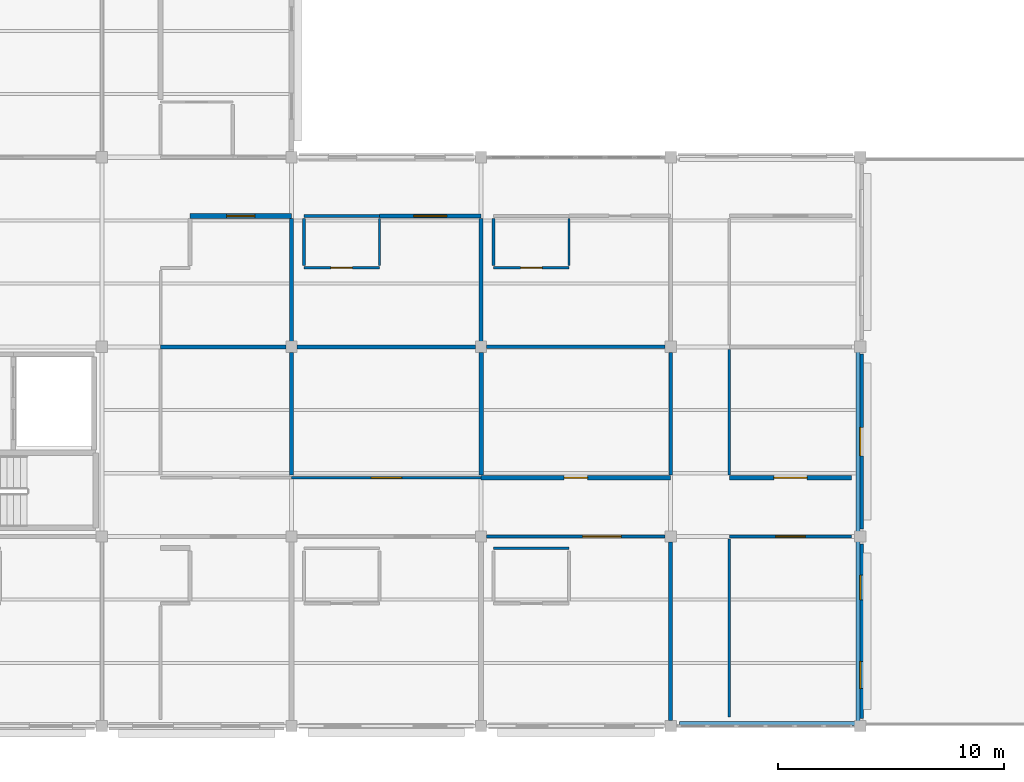
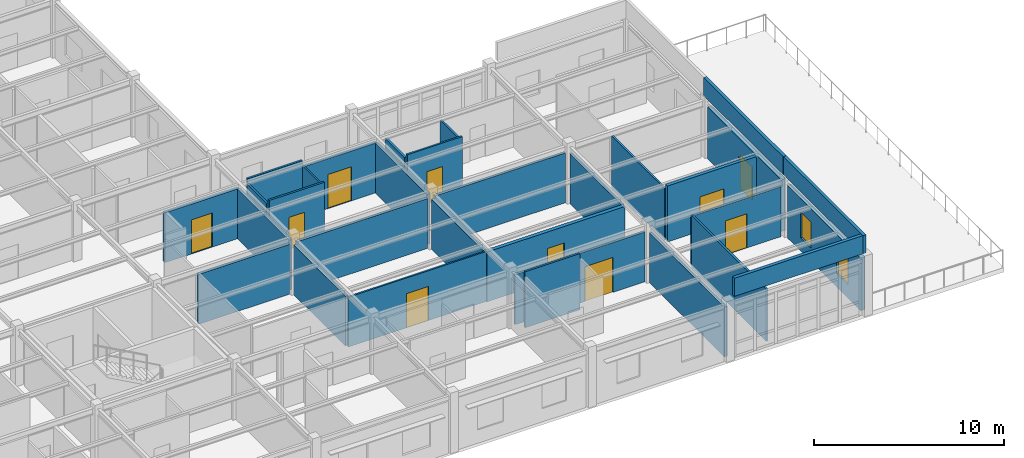
# One storey, part 36 of 53: 31 walls, 10 doors, 2 windows, 12 openings.
"""IFC4 building model written with IfcOpenShell, lengths in metres."""

import ifcopenshell
import ifcopenshell.guid

model = None  # the IFC model being written
_history = None  # IfcOwnerHistory: only IFC2X3 demands one
_inside = {}  # id of a spatial element -> (the spatial element, [elements in it])
_under = {}  # id of a project, library or spatial element -> (it, [spatial elements below it])
_declared = {}  # id of a project -> (the project, [libraries it declares])
_typed = {}  # id of a type object -> (the type object, [elements of that type])
_made_of = {}  # id of a material, layer set ... -> (it, [elements and type objects made of it])


def new_model(schema):
    """Start an empty IFC model of exactly this schema.

    Asked for "IFC4X3", IfcOpenShell would pick the latest addendum, in which some entities
    have other attributes; the version numbers below select the first issue.
    IFC2X3 requires an IfcOwnerHistory on every rooted entity: one is made here for all.
    """
    global model, _history
    if schema == "IFC4X3":
        model = ifcopenshell.file(schema_version=(4, 3, 0, 0))
    else:
        model = ifcopenshell.file(schema=schema)
    _inside.clear()
    _under.clear()
    _declared.clear()
    _typed.clear()
    _made_of.clear()
    _history = None
    if model.schema == "IFC2X3":
        org = make("IfcOrganization", Name="unknown")
        user = make(
            "IfcPersonAndOrganization",
            ThePerson=make("IfcPerson", FamilyName="unknown"),
            TheOrganization=org,
        )
        app = make(
            "IfcApplication",
            ApplicationDeveloper=org,
            Version="unknown",
            ApplicationFullName="unknown",
            ApplicationIdentifier="unknown",
        )
        _history = make(
            "IfcOwnerHistory",
            OwningUser=user,
            OwningApplication=app,
            ChangeAction="ADDED",
            CreationDate=0,
        )
    return model


def make(cls, **values):
    """One entity of the class cls with the attributes given. An attribute that is None is left unset."""
    return model.create_entity(
        cls, **{name: value for name, value in values.items() if value is not None}
    )


def rooted(cls, **values):
    """An entity with a GlobalId (a new one), such as an element, a storey or a relation."""
    return make(cls, GlobalId=ifcopenshell.guid.new(), OwnerHistory=_history, **values)


def si_unit(unit_type, name, prefix=None):
    """IfcSIUnit, for example si_unit("LENGTHUNIT", "METRE", prefix="MILLI")."""
    return make("IfcSIUnit", UnitType=unit_type, Prefix=prefix, Name=name)


def assignment(units):
    """IfcUnitAssignment: the units of a project."""
    return None if units is None else make("IfcUnitAssignment", Units=units)


def point(xyz):
    """IfcCartesianPoint."""
    return None if xyz is None else make("IfcCartesianPoint", Coordinates=xyz)


def direction(xyz):
    """IfcDirection."""
    return None if xyz is None else make("IfcDirection", DirectionRatios=xyz)


def frame(location, z_axis=None, x_axis=None):
    """IfcAxis2Placement3D, a coordinate frame: its origin and axes. An axis left out is left unset."""
    return make(
        "IfcAxis2Placement3D",
        Location=point(location),
        Axis=direction(z_axis),
        RefDirection=direction(x_axis),
    )


def frame_2d(location, x_axis=None):
    """IfcAxis2Placement2D, a coordinate frame in the plane: its origin and x axis."""
    return make(
        "IfcAxis2Placement2D", Location=point(location), RefDirection=direction(x_axis)
    )


def origin():
    """The frame at (0, 0, 0) with its axes left unset."""
    return frame((0.0, 0.0, 0.0))


def place(relative_to, where):
    """IfcLocalPlacement: puts the frame where relative to a parent placement (None: the world)."""
    return make(
        "IfcLocalPlacement", PlacementRelTo=relative_to, RelativePlacement=where
    )


def context(
    kind, dimensions, precision=None, world=None, true_north=None, identifier=None
):
    """IfcGeometricRepresentationContext, for example the 3D "Model" context."""
    return make(
        "IfcGeometricRepresentationContext",
        ContextIdentifier=identifier,
        ContextType=kind,
        CoordinateSpaceDimension=dimensions,
        Precision=precision,
        WorldCoordinateSystem=world,
        TrueNorth=true_north,
    )


def subcontext(parent, identifier, kind, view, scale=None):
    """IfcGeometricRepresentationSubContext, for example "Body" below "Model"."""
    return make(
        "IfcGeometricRepresentationSubContext",
        ContextIdentifier=identifier,
        ContextType=kind,
        ParentContext=parent,
        TargetScale=scale,
        TargetView=view,
    )


def project(units=None, contexts=None):
    """IfcProject with its units and contexts."""
    return rooted(
        "IfcProject",
        Name="project",
        RepresentationContexts=contexts,
        UnitsInContext=assignment(units),
    )


def spatial(cls, under=None, at=None, **own):
    """A site, building, storey or space (cls), placed at a placement, below another one or the project."""
    s = rooted(cls, ObjectPlacement=at, **own)
    if under is not None:
        _under.setdefault(under.id(), (under, []))[1].append(s)
    return s


def profile(cls, at=None, kind="AREA", **sizes):
    """A parametric profile (cls). Its sizes go by their IFC names, for example OverallWidth=200.0."""
    return make(cls, ProfileType=kind, Position=at, **sizes)


def rectangle(**sizes):
    """IfcRectangleProfileDef."""
    return profile("IfcRectangleProfileDef", **sizes)


def extrude(swept, where, along, depth):
    """IfcExtrudedAreaSolid: the profile swept, set in the frame where, extruded along a direction by depth."""
    return make(
        "IfcExtrudedAreaSolid",
        SweptArea=swept,
        Position=where,
        ExtrudedDirection=direction(along),
        Depth=depth,
    )


def shape(context_of_items, identifier, shape_type, items):
    """IfcShapeRepresentation: the items that make up one representation, for example the "Body"."""
    return make(
        "IfcShapeRepresentation",
        ContextOfItems=context_of_items,
        RepresentationIdentifier=identifier,
        RepresentationType=shape_type,
        Items=items,
    )


def material(Name=None, Category=None):
    """IfcMaterial."""
    return make("IfcMaterial", Name=Name, Category=Category)


def layer(
    of_material, thickness, ventilated=None, Name=None, Category=None, Priority=None
):
    """IfcMaterialLayer: one layer of a wall or slab, of a material (None: an air gap)."""
    return make(
        "IfcMaterialLayer",
        Material=of_material,
        LayerThickness=thickness,
        IsVentilated=ventilated,
        Name=Name,
        Category=Category,
        Priority=Priority,
    )


def layer_set(layers, Name=None):
    """IfcMaterialLayerSet."""
    return make("IfcMaterialLayerSet", MaterialLayers=layers, LayerSetName=Name)


def made_of(thing, what):
    """Note that an element or type object is made of a material, layer set ...; save() writes the relation."""
    if what is not None:
        _made_of.setdefault(what.id(), (what, []))[1].append(thing)
    return thing


def type_object(cls, material=None, **own):
    """A type object (cls), such as IfcWallType, which elements share."""
    return made_of(rooted(cls, **own), material)


def element(
    cls,
    number,
    at=None,
    inside=None,
    cuts=None,
    type_object=None,
    material=None,
    context=None,
    identifier="Body",
    shape_type=None,
    held_by="IfcProductDefinitionShape",
    body=None,
    shapes=None,
    **own,
):
    """One element of the class cls, such as IfcWall. Its Tag is "e" and its number.

    at: its placement. inside: the storey or other place that contains it. cuts: it is an
    opening in that element (IfcRelVoidsElement). A single representation is given by context,
    identifier, shape_type and body (its items); several are given by shapes. held_by: the class
    of the entity that holds the representations. save() writes the other relations.
    """
    e = rooted(cls, Tag="e%d" % number, ObjectPlacement=at, **own)
    if body is not None:
        shapes = [shape(context, identifier, shape_type, body)]
    if shapes is not None:
        e.Representation = make(held_by, Representations=shapes)
    if inside is not None:
        _inside.setdefault(inside.id(), (inside, []))[1].append(e)
    if cuts is not None:
        rooted(
            "IfcRelVoidsElement", RelatingBuildingElement=cuts, RelatedOpeningElement=e
        )
    if type_object is not None:
        _typed.setdefault(type_object.id(), (type_object, []))[1].append(e)
    return made_of(e, material)


def fill(opening, filler):
    """IfcRelFillsElement: the door or window that sits in an opening."""
    return rooted(
        "IfcRelFillsElement",
        RelatingOpeningElement=opening,
        RelatedBuildingElement=filler,
    )


def aggregate(whole, parts):
    """IfcRelAggregates: a whole, such as a stair, and the parts it consists of."""
    return rooted("IfcRelAggregates", RelatingObject=whole, RelatedObjects=parts)


def save(model, path):
    """Write the relations noted so far, then the file.

    IfcRelAggregates (storeys below a building ...), IfcRelContainedInSpatialStructure (elements
    in a storey), IfcRelDefinesByType, IfcRelAssociatesMaterial and IfcRelDeclares: one each for
    every whole, place, type object, material and project.
    """
    for whole, parts in _under.values():
        aggregate(whole, parts)
    for where, things in _inside.values():
        rooted(
            "IfcRelContainedInSpatialStructure",
            RelatedElements=things,
            RelatingStructure=where,
        )
    for kind, things in _typed.values():
        rooted("IfcRelDefinesByType", RelatedObjects=things, RelatingType=kind)
    for what, things in _made_of.values():
        rooted("IfcRelAssociatesMaterial", RelatedObjects=things, RelatingMaterial=what)
    for by, libraries in _declared.values():
        rooted("IfcRelDeclares", RelatingContext=by, RelatedDefinitions=libraries)
    model.write(path)


model = new_model("IFC4")

# Units and contexts
model_context = context("Model", 3, precision=1e-05, world=origin(), true_north=direction((0.0, 1.0)))
body_context = subcontext(model_context, "Body", "Model", "MODEL_VIEW")
ifc_project = project(units=[si_unit("LENGTHUNIT", "METRE"), si_unit("AREAUNIT", "SQUARE_METRE"), si_unit("VOLUMEUNIT", "CUBIC_METRE"), si_unit("PLANEANGLEUNIT", "RADIAN"), si_unit("MASSUNIT", "GRAM", prefix="KILO")], contexts=[model_context])

# Site, building, storey
site_placement = place(None, origin())
site = spatial("IfcSite", under=ifc_project, at=site_placement, CompositionType="ELEMENT")
building_placement = place(site_placement, origin())
building = spatial("IfcBuilding", under=site, at=building_placement, Name="Bramfleet General Hospital", CompositionType="ELEMENT")
storey_placement = place(building_placement, frame((0.0, 0.0, 26.39990234375)))
storey = spatial("IfcBuildingStorey", under=building, at=storey_placement, Name="L06", CompositionType="ELEMENT", Elevation=26.39990234375)

# Wall, opening, door
ifc_material_1 = material(Name="Precast concrete C40/50", Category="concrete")
ifc_layer_1 = layer(ifc_material_1, 0.280029296875, Name="WT-EW-06")
ifc_layer_set_1 = layer_set([ifc_layer_1], Name="Precast concrete C40/50")
wall_type_1 = type_object("IfcWallType", Name="WT-EW-06", PredefinedType="SOLIDWALL", material=ifc_layer_set_1)
wall_1_placement = place(storey_placement, frame((142.800048828125, 16.47509765625, 0.0), z_axis=(0.0, 0.0, 1.0), x_axis=(0.0, -1.0, 0.0)))
wall_1 = element("IfcWall", 1, at=wall_1_placement, inside=storey, type_object=wall_type_1, Name="L06 Exterior Wall 417", PredefinedType="SOLIDWALL", context=body_context, shape_type="SweptSolid", body=[
    extrude(rectangle(XDim=7.75, YDim=0.280029296875, at=frame_2d((3.875, 0.0))), origin(), (0.0, 0.0, 1.0), 3.340087890625),
])
opening_1_placement = place(wall_1_placement, frame((3.2451171875, 0.0, 0.0)))
opening_1 = element("IfcOpeningElement", 2, at=opening_1_placement, cuts=wall_1, Name="Opening D-L06-TER-031", PredefinedType="OPENING", context=body_context, shape_type="SweptSolid", body=[
    extrude(rectangle(XDim=1.260009765625, YDim=2.14990234375, at=frame_2d((0.6298828125, 1.074951171875))), frame((0.0, 0.14990234375, 0.0), z_axis=(0.0, -1.0, 0.0), x_axis=(1.0, 0.0, 0.0)), (0.0, 0.0, 1.0), 0.300048828125),
])
ifc_material_2 = material(Name="Thermally broken steel and laminated safety glass", Category="steel")
door_type_1 = type_object("IfcDoorType", Name="DR-ED-05", OperationType="NOTDEFINED", PredefinedType="DOOR", material=ifc_material_2)
door_1_placement = place(opening_1_placement, origin())
door_1 = element("IfcDoor", 3, at=door_1_placement, inside=storey, type_object=door_type_1, Name="L06 Terrace Pedestrian Access Door D-L06-TER-031", OperationType="SINGLE_SWING_RIGHT", OverallHeight=2.14990234375, OverallWidth=1.260009765625, PredefinedType="DOOR", context=body_context, shape_type="SweptSolid", body=[
    extrude(rectangle(XDim=1.260009765625, YDim=2.14990234375, at=frame_2d((0.6298828125, 1.074951171875))), frame((0.0, 0.02490234375, 0.0), z_axis=(0.0, -1.0, 0.0), x_axis=(1.0, 0.0, 0.0)), (0.0, 0.0, 1.0), 0.050048828125),
])
fill(opening_1, door_1)

# Wall, openings, windows
ifc_layer_2 = layer(ifc_material_1, 0.264892578125, Name="WT-EW-07")
ifc_layer_set_2 = layer_set([ifc_layer_2], Name="Precast concrete C40/50")
wall_type_2 = type_object("IfcWallType", Name="WT-EW-07", PredefinedType="SOLIDWALL", material=ifc_layer_set_2)
wall_2_placement = place(storey_placement, frame((142.800048828125, 8.074951171875, 0.0), z_axis=(0.0, 0.0, 1.0), x_axis=(0.0, -1.0, 0.0)))
wall_2 = element("IfcWall", 4, at=wall_2_placement, inside=storey, type_object=wall_type_2, Name="L06 Exterior Wall 418", PredefinedType="SOLIDWALL", context=body_context, shape_type="SweptSolid", body=[
    extrude(rectangle(XDim=7.75, YDim=0.264892578125, at=frame_2d((3.875, 0.0))), origin(), (0.0, 0.0, 1.0), 3.380126953125),
])
opening_2_placement = place(wall_2_placement, frame((1.387451171875, 0.0, 0.85009765625)))
opening_2 = element("IfcOpeningElement", 5, at=opening_2_placement, cuts=wall_2, Name="Opening W-31", PredefinedType="OPENING", context=body_context, shape_type="SweptSolid", body=[
    extrude(rectangle(XDim=1.10009765625, YDim=1.659912109375, at=frame_2d((0.550048828125, 0.830078125))), frame((0.0, 0.142333984375, 0.0), z_axis=(0.0, -1.0, 0.0), x_axis=(1.0, 0.0, 0.0)), (0.0, 0.0, 1.0), 0.284912109375),
])
opening_3_placement = place(wall_2_placement, frame((5.21240234375, 0.0, 0.85009765625)))
opening_3 = element("IfcOpeningElement", 6, at=opening_3_placement, cuts=wall_2, Name="Opening W-32", PredefinedType="OPENING", context=body_context, shape_type="SweptSolid", body=[
    extrude(rectangle(XDim=1.199951171875, YDim=1.659912109375, at=frame_2d((0.60009765625, 0.830078125))), frame((0.0, 0.142333984375, 0.0), z_axis=(0.0, -1.0, 0.0), x_axis=(1.0, 0.0, 0.0)), (0.0, 0.0, 1.0), 0.284912109375),
])
ifc_material_3 = material(Name="Anodised aluminium and low-E triple glazing", Category="aluminium")
window_type_1 = type_object("IfcWindowType", Name="WIN-W-31", PartitioningType="SINGLE_PANEL", PredefinedType="WINDOW", material=ifc_material_3)
window_1_placement = place(opening_2_placement, origin())
window_1 = element("IfcWindow", 7, at=window_1_placement, inside=storey, type_object=window_type_1, Name="L06 Facade Window WIN-L06-418-1", OverallHeight=1.659912109375, OverallWidth=1.10009765625, PartitioningType="SINGLE_PANEL", PredefinedType="WINDOW", context=body_context, shape_type="SweptSolid", body=[
    extrude(rectangle(XDim=1.10009765625, YDim=1.659912109375, at=frame_2d((0.550048828125, 0.830078125))), frame((0.0, 0.030029296875, 0.0), z_axis=(0.0, -1.0, 0.0), x_axis=(1.0, 0.0, 0.0)), (0.0, 0.0, 1.0), 0.06005859375),
])
fill(opening_2, window_1)
window_type_2 = type_object("IfcWindowType", Name="WIN-W-32", PartitioningType="SINGLE_PANEL", PredefinedType="WINDOW", material=ifc_material_3)
window_2_placement = place(opening_3_placement, origin())
window_2 = element("IfcWindow", 8, at=window_2_placement, inside=storey, type_object=window_type_2, Name="L06 Facade Window WIN-L06-418-2", OverallHeight=1.659912109375, OverallWidth=1.199951171875, PartitioningType="SINGLE_PANEL", PredefinedType="WINDOW", context=body_context, shape_type="SweptSolid", body=[
    extrude(rectangle(XDim=1.199951171875, YDim=1.659912109375, at=frame_2d((0.60009765625, 0.830078125))), frame((0.0, 0.030029296875, 0.0), z_axis=(0.0, -1.0, 0.0), x_axis=(1.0, 0.0, 0.0)), (0.0, 0.0, 1.0), 0.06005859375),
])
fill(opening_3, window_2)

# Wall, opening, door
ifc_material_4 = material(Name="Concrete C35/45", Category="concrete")
ifc_layer_3 = layer(ifc_material_4, 0.219970703125, Name="WT-IW-01")
ifc_layer_set_3 = layer_set([ifc_layer_3], Name="Concrete C35/45")
wall_type_3 = type_object("IfcWallType", Name="WT-IW-01", PredefinedType="PARTITIONING", material=ifc_layer_set_3)
wall_3_placement = place(storey_placement, frame((126.0, 11.0, 0.0), z_axis=(0.0, 0.0, 1.0), x_axis=(1.0, 0.0, 0.0)))
wall_3 = element("IfcWall", 9, at=wall_3_placement, inside=storey, type_object=wall_type_3, Name="L06 Interior Partition IW-L06-3853", PredefinedType="PARTITIONING", context=body_context, shape_type="SweptSolid", body=[
    extrude(rectangle(XDim=8.39990234375, YDim=0.219970703125, at=frame_2d((4.199951171875, 0.0))), origin(), (0.0, 0.0, 1.0), 3.210205078125),
])
opening_4_placement = place(wall_3_placement, frame((3.675048828125, 0.0, 0.0)))
opening_4 = element("IfcOpeningElement", 10, at=opening_4_placement, cuts=wall_3, Name="Opening D1513", PredefinedType="OPENING", context=body_context, shape_type="SweptSolid", body=[
    extrude(rectangle(XDim=1.050048828125, YDim=2.14990234375, at=frame_2d((0.52490234375, 1.074951171875))), frame((0.0, 0.119873046875, 0.0), z_axis=(0.0, -1.0, 0.0), x_axis=(1.0, 0.0, 0.0)), (0.0, 0.0, 1.0), 0.239990234375),
])
ifc_material_5 = material(Name="Stainless steel and acoustic timber leaf", Category="steel")
door_type_2 = type_object("IfcDoorType", Name="DR-D-09", OperationType="NOTDEFINED", PredefinedType="DOOR", material=ifc_material_5)
door_2_placement = place(opening_4_placement, origin())
door_2 = element("IfcDoor", 11, at=door_2_placement, inside=storey, type_object=door_type_2, Name="Oncology and Neurology Ward Nurse Station L06-1501 Door D1513", OperationType="SINGLE_SWING_RIGHT", OverallHeight=2.14990234375, OverallWidth=1.050048828125, PredefinedType="DOOR", context=body_context, shape_type="SweptSolid", body=[
    extrude(rectangle(XDim=1.050048828125, YDim=2.14990234375, at=frame_2d((0.52490234375, 1.074951171875))), frame((0.0, 0.02490234375, 0.0), z_axis=(0.0, -1.0, 0.0), x_axis=(1.0, 0.0, 0.0)), (0.0, 0.0, 1.0), 0.050048828125),
])
fill(opening_4, door_2)

ifc_layer_4 = layer(ifc_material_4, 0.205078125, Name="WT-IW-02")
ifc_layer_set_4 = layer_set([ifc_layer_4], Name="Concrete C35/45")
wall_type_4 = type_object("IfcWallType", Name="WT-IW-02", PredefinedType="PARTITIONING", material=ifc_layer_set_4)
wall_4_placement = place(storey_placement, frame((137.0, 11.0, 0.0), z_axis=(0.0, 0.0, 1.0), x_axis=(1.0, 0.0, 0.0)))
wall_4 = element("IfcWall", 12, at=wall_4_placement, inside=storey, type_object=wall_type_4, Name="L06 Interior Partition IW-L06-3854", PredefinedType="PARTITIONING", context=body_context, shape_type="SweptSolid", body=[
    extrude(rectangle(XDim=5.41748046875, YDim=0.205078125, at=frame_2d((2.708740234375, 0.0))), origin(), (0.0, 0.0, 1.0), 3.610107421875),
])
opening_5_placement = place(wall_4_placement, frame((1.96875, 0.0, 0.0)))
opening_5 = element("IfcOpeningElement", 13, at=opening_5_placement, cuts=wall_4, Name="Opening D1520", PredefinedType="OPENING", context=body_context, shape_type="SweptSolid", body=[
    extrude(rectangle(XDim=1.47998046875, YDim=2.219970703125, at=frame_2d((0.739990234375, 1.10986328125))), frame((0.0, 0.112548828125, 0.0), z_axis=(0.0, -1.0, 0.0), x_axis=(1.0, 0.0, 0.0)), (0.0, 0.0, 1.0), 0.22509765625),
])
door_type_3 = type_object("IfcDoorType", Name="DR-D-16", OperationType="NOTDEFINED", PredefinedType="DOOR", material=ifc_material_5)
door_3_placement = place(opening_5_placement, origin())
door_3 = element("IfcDoor", 14, at=door_3_placement, inside=storey, type_object=door_type_3, Name="Patient Dayroom and Garden Lounge L06-1601 Door D1520", OperationType="SINGLE_SWING_LEFT", OverallHeight=2.219970703125, OverallWidth=1.47998046875, PredefinedType="DOOR", context=body_context, shape_type="SweptSolid", body=[
    extrude(rectangle(XDim=1.47998046875, YDim=2.219970703125, at=frame_2d((0.739990234375, 1.10986328125))), frame((0.0, 0.02490234375, 0.0), z_axis=(0.0, -1.0, 0.0), x_axis=(1.0, 0.0, 0.0)), (0.0, 0.0, 1.0), 0.050048828125),
])
fill(opening_5, door_3)

wall_5_placement = place(storey_placement, frame((113.10009765625, 22.60009765625, 0.0), z_axis=(0.0, 0.0, 1.0), x_axis=(1.0, 0.0, 0.0)))
wall_5 = element("IfcWall", 15, at=wall_5_placement, inside=storey, type_object=wall_type_4, Name="L06 Interior Partition IW-L06-3866", PredefinedType="PARTITIONING", context=body_context, shape_type="SweptSolid", body=[
    extrude(rectangle(XDim=4.5, YDim=0.205078125, at=frame_2d((2.25, 0.0))), origin(), (0.0, 0.0, 1.0), 3.210205078125),
])
opening_6_placement = place(wall_5_placement, frame((1.625, 0.0, 0.0)))
opening_6 = element("IfcOpeningElement", 16, at=opening_6_placement, cuts=wall_5, Name="Opening D1486", PredefinedType="OPENING", context=body_context, shape_type="SweptSolid", body=[
    extrude(rectangle(XDim=1.25, YDim=2.199951171875, at=frame_2d((0.625, 1.10009765625))), frame((0.0, 0.112548828125, 0.0), z_axis=(0.0, -1.0, 0.0), x_axis=(1.0, 0.0, 0.0)), (0.0, 0.0, 1.0), 0.22509765625),
])
door_type_4 = type_object("IfcDoorType", Name="DR-D-14", OperationType="NOTDEFINED", PredefinedType="DOOR", material=ifc_material_5)
door_4_placement = place(opening_6_placement, origin())
door_4 = element("IfcDoor", 17, at=door_4_placement, inside=storey, type_object=door_type_4, Name="Oncology and Neurology Ward Bedroom L06-1302 Door D1486", OperationType="SINGLE_SWING_LEFT", OverallHeight=2.199951171875, OverallWidth=1.25, PredefinedType="DOOR", context=body_context, shape_type="SweptSolid", body=[
    extrude(rectangle(XDim=1.25, YDim=2.199951171875, at=frame_2d((0.625, 1.10009765625))), frame((0.0, 0.02490234375, 0.0), z_axis=(0.0, -1.0, 0.0), x_axis=(1.0, 0.0, 0.0)), (0.0, 0.0, 1.0), 0.050048828125),
])
fill(opening_6, door_4)

# Walls
wall_6_placement = place(storey_placement, frame((126.0, 11.114990234375, 0.0), z_axis=(0.0, 0.0, 1.0), x_axis=(0.0, 1.0, 0.0)))
element("IfcWall", 18, at=wall_6_placement, inside=storey, type_object=wall_type_4, Name="L06 Interior Partition IW-L06-4094", PredefinedType="PARTITIONING", context=body_context, shape_type="SweptSolid", body=[
    extrude(rectangle(XDim=5.43994140625, YDim=0.205078125, at=frame_2d((2.719970703125, 0.0))), origin(), (0.0, 0.0, 1.0), 3.210205078125),
])
ifc_layer_5 = layer(ifc_material_4, 0.18994140625, Name="WT-IW-03")
ifc_layer_set_5 = layer_set([ifc_layer_5], Name="Concrete C35/45")
wall_type_5 = type_object("IfcWallType", Name="WT-IW-03", PredefinedType="PARTITIONING", material=ifc_layer_set_5)
wall_7_placement = place(storey_placement, frame((117.60009765625, 11.114990234375, 0.0), z_axis=(0.0, 0.0, 1.0), x_axis=(0.0, 1.0, 0.0)))
element("IfcWall", 19, at=wall_7_placement, inside=storey, type_object=wall_type_5, Name="L06 Interior Partition IW-L06-4083", PredefinedType="PARTITIONING", context=body_context, shape_type="SweptSolid", body=[
    extrude(rectangle(XDim=5.43994140625, YDim=0.18994140625, at=frame_2d((2.719970703125, 0.0))), origin(), (0.0, 0.0, 1.0), 3.210205078125),
])
wall_8_placement = place(storey_placement, frame((126.0, 17.044921875, 0.0), z_axis=(0.0, 0.0, 1.0), x_axis=(0.0, 1.0, 0.0)))
element("IfcWall", 20, at=wall_8_placement, inside=storey, type_object=wall_type_5, Name="L06 Interior Partition IW-L06-4095", PredefinedType="PARTITIONING", context=body_context, shape_type="SweptSolid", body=[
    extrude(rectangle(XDim=5.440185546875, YDim=0.18994140625, at=frame_2d((2.72021484375, 0.0))), origin(), (0.0, 0.0, 1.0), 3.210205078125),
])
ifc_layer_6 = layer(ifc_material_4, 0.179931640625, Name="WT-IW-04")
ifc_layer_set_6 = layer_set([ifc_layer_6], Name="Concrete C35/45")
wall_type_6 = type_object("IfcWallType", Name="WT-IW-04", PredefinedType="PARTITIONING", material=ifc_layer_set_6)
wall_9_placement = place(storey_placement, frame((111.800048828125, 16.800048828125, 0.0), z_axis=(0.0, 0.0, 1.0), x_axis=(1.0, 0.0, 0.0)))
element("IfcWall", 21, at=wall_9_placement, inside=storey, type_object=wall_type_6, Name="L06 Interior Partition IW-L06-3856", PredefinedType="PARTITIONING", context=body_context, shape_type="SweptSolid", body=[
    extrude(rectangle(XDim=5.554931640625, YDim=0.179931640625, at=frame_2d((2.77734375, 0.0))), origin(), (0.0, 0.0, 1.0), 3.210205078125),
])

# Wall, opening, door
wall_10_placement = place(storey_placement, frame((121.5, 22.60009765625, 0.0), z_axis=(0.0, 0.0, 1.0), x_axis=(1.0, 0.0, 0.0)))
wall_10 = element("IfcWall", 22, at=wall_10_placement, inside=storey, type_object=wall_type_6, Name="L06 Interior Partition IW-L06-3868", PredefinedType="PARTITIONING", context=body_context, shape_type="SweptSolid", body=[
    extrude(rectangle(XDim=4.5, YDim=0.179931640625, at=frame_2d((2.25, 0.0))), origin(), (0.0, 0.0, 1.0), 3.210205078125),
])
opening_7_placement = place(wall_10_placement, frame((1.52490234375, 0.0, 0.0)))
opening_7 = element("IfcOpeningElement", 23, at=opening_7_placement, cuts=wall_10, Name="Opening D1507", PredefinedType="OPENING", context=body_context, shape_type="SweptSolid", body=[
    extrude(rectangle(XDim=1.449951171875, YDim=2.199951171875, at=frame_2d((0.72509765625, 1.10009765625))), frame((0.0, 0.099853515625, 0.0), z_axis=(0.0, -1.0, 0.0), x_axis=(1.0, 0.0, 0.0)), (0.0, 0.0, 1.0), 0.199951171875),
])
door_type_5 = type_object("IfcDoorType", Name="DR-D-03", OperationType="NOTDEFINED", PredefinedType="DOOR", material=ifc_material_5)
door_5_placement = place(opening_7_placement, origin())
door_5 = element("IfcDoor", 24, at=door_5_placement, inside=storey, type_object=door_type_5, Name="Oncology and Neurology Ward Bedroom L06-1402 Door D1507", OperationType="SINGLE_SWING_RIGHT", OverallHeight=2.199951171875, OverallWidth=1.449951171875, PredefinedType="DOOR", context=body_context, shape_type="SweptSolid", body=[
    extrude(rectangle(XDim=1.449951171875, YDim=2.199951171875, at=frame_2d((0.72509765625, 1.10009765625))), frame((0.0, 0.02490234375, 0.0), z_axis=(0.0, -1.0, 0.0), x_axis=(1.0, 0.0, 0.0)), (0.0, 0.0, 1.0), 0.050048828125),
])
fill(opening_7, door_5)

# Walls
wall_11_placement = place(storey_placement, frame((117.60009765625, 17.044921875, 0.0), z_axis=(0.0, 0.0, 1.0), x_axis=(0.0, 1.0, 0.0)))
element("IfcWall", 25, at=wall_11_placement, inside=storey, type_object=wall_type_6, Name="L06 Interior Partition IW-L06-4084", PredefinedType="PARTITIONING", context=body_context, shape_type="SweptSolid", body=[
    extrude(rectangle(XDim=5.440185546875, YDim=0.179931640625, at=frame_2d((2.72021484375, 0.0))), origin(), (0.0, 0.0, 1.0), 3.210205078125),
])
wall_12_placement = place(storey_placement, frame((134.39990234375, 0.2451171875, 0.0), z_axis=(0.0, 0.0, 1.0), x_axis=(0.0, 1.0, 0.0)))
element("IfcWall", 26, at=wall_12_placement, inside=storey, type_object=wall_type_6, Name="L06 Interior Partition IW-L06-4108", PredefinedType="PARTITIONING", context=body_context, shape_type="SweptSolid", body=[
    extrude(rectangle(XDim=7.909912109375, YDim=0.179931640625, at=frame_2d((3.955078125, 0.0))), origin(), (0.0, 0.0, 1.0), 3.210205078125),
])
ifc_material_6 = material(Name="Gypsum plasterboard on acoustic steel studs", Category="steel")
ifc_layer_7 = layer(ifc_material_6, 0.169921875, Name="WT-IW-05")
ifc_layer_set_7 = layer_set([ifc_layer_7], Name="Gypsum plasterboard on acoustic steel studs")
wall_type_7 = type_object("IfcWallType", Name="WT-IW-05", PredefinedType="PARTITIONING", material=ifc_layer_set_7)
wall_13_placement = place(storey_placement, frame((117.844970703125, 16.800048828125, 0.0), z_axis=(0.0, 0.0, 1.0), x_axis=(1.0, 0.0, 0.0)))
element("IfcWall", 27, at=wall_13_placement, inside=storey, type_object=wall_type_7, Name="L06 Interior Partition IW-L06-3857", PredefinedType="PARTITIONING", context=body_context, shape_type="SweptSolid", body=[
    extrude(rectangle(XDim=7.909912109375, YDim=0.169921875, at=frame_2d((3.955078125, 0.0))), origin(), (0.0, 0.0, 1.0), 3.210205078125),
])
wall_14_placement = place(storey_placement, frame((134.39990234375, 11.114990234375, 0.0), z_axis=(0.0, 0.0, 1.0), x_axis=(0.0, 1.0, 0.0)))
element("IfcWall", 28, at=wall_14_placement, inside=storey, type_object=wall_type_7, Name="L06 Interior Partition IW-L06-4109", PredefinedType="PARTITIONING", context=body_context, shape_type="SweptSolid", body=[
    extrude(rectangle(XDim=5.43994140625, YDim=0.169921875, at=frame_2d((2.719970703125, 0.0))), origin(), (0.0, 0.0, 1.0), 3.210205078125),
])
ifc_layer_8 = layer(ifc_material_6, 0.159912109375, Name="WT-IW-06")
ifc_layer_set_8 = layer_set([ifc_layer_8], Name="Gypsum plasterboard on acoustic steel studs")
wall_type_8 = type_object("IfcWallType", Name="WT-IW-06", PredefinedType="PARTITIONING", material=ifc_layer_set_8)
wall_15_placement = place(storey_placement, frame((126.2451171875, 16.800048828125, 0.0), z_axis=(0.0, 0.0, 1.0), x_axis=(1.0, 0.0, 0.0)))
element("IfcWall", 29, at=wall_15_placement, inside=storey, type_object=wall_type_8, Name="L06 Interior Partition IW-L06-3858", PredefinedType="PARTITIONING", context=body_context, shape_type="SweptSolid", body=[
    extrude(rectangle(XDim=7.909912109375, YDim=0.159912109375, at=frame_2d((3.955078125, 0.0))), origin(), (0.0, 0.0, 1.0), 3.210205078125),
])
ifc_layer_9 = layer(ifc_material_6, 0.14990234375, Name="WT-IW-07")
ifc_layer_set_9 = layer_set([ifc_layer_9], Name="Gypsum plasterboard on acoustic steel studs")
wall_type_9 = type_object("IfcWallType", Name="WT-IW-07", PredefinedType="PARTITIONING", material=ifc_layer_set_9)
wall_16_placement = place(storey_placement, frame((126.550048828125, 20.4150390625, 0.0), z_axis=(0.0, 0.0, 1.0), x_axis=(0.0, 1.0, 0.0)))
element("IfcWall", 30, at=wall_16_placement, inside=storey, type_object=wall_type_9, Name="L06 Interior Partition IW-L06-4099", PredefinedType="PARTITIONING", context=body_context, shape_type="SweptSolid", body=[
    extrude(rectangle(XDim=2.070068359375, YDim=0.14990234375, at=frame_2d((1.03515625, 0.0))), origin(), (0.0, 0.0, 1.0), 3.340087890625),
])

# Wall, opening, door
ifc_layer_10 = layer(ifc_material_6, 0.139892578125, Name="WT-IW-08")
ifc_layer_set_10 = layer_set([ifc_layer_10], Name="Gypsum plasterboard on acoustic steel studs")
wall_type_10 = type_object("IfcWallType", Name="WT-IW-08", PredefinedType="PARTITIONING", material=ifc_layer_set_10)
wall_17_placement = place(storey_placement, frame((126.2451171875, 8.39990234375, 0.0), z_axis=(0.0, 0.0, 1.0), x_axis=(1.0, 0.0, 0.0)))
wall_17 = element("IfcWall", 31, at=wall_17_placement, inside=storey, type_object=wall_type_10, Name="L06 Interior Partition IW-L06-3848", PredefinedType="PARTITIONING", context=body_context, shape_type="SweptSolid", body=[
    extrude(rectangle(XDim=7.909912109375, YDim=0.139892578125, at=frame_2d((3.955078125, 0.0))), origin(), (0.0, 0.0, 1.0), 3.210205078125),
])
opening_8_placement = place(wall_17_placement, frame((4.255615234375, 0.0, 0.0)))
opening_8 = element("IfcOpeningElement", 32, at=opening_8_placement, cuts=wall_17, Name="Opening D1511", PredefinedType="OPENING", context=body_context, shape_type="SweptSolid", body=[
    extrude(rectangle(XDim=1.699951171875, YDim=2.25, at=frame_2d((0.85009765625, 1.125))), frame((0.0, 0.079833984375, 0.0), z_axis=(0.0, -1.0, 0.0), x_axis=(1.0, 0.0, 0.0)), (0.0, 0.0, 1.0), 0.159912109375),
])
door_type_6 = type_object("IfcDoorType", Name="DR-D-07", OperationType="NOTDEFINED", PredefinedType="DOOR", material=ifc_material_5)
door_6_placement = place(opening_8_placement, origin())
door_6 = element("IfcDoor", 33, at=door_6_placement, inside=storey, type_object=door_type_6, Name="Oncology and Neurology Ward Bedroom L06-1500 Door D1511", OperationType="DOUBLE_SWING_RIGHT", OverallHeight=2.25, OverallWidth=1.699951171875, PredefinedType="DOOR", context=body_context, shape_type="SweptSolid", body=[
    extrude(rectangle(XDim=1.699951171875, YDim=2.25, at=frame_2d((0.85009765625, 1.125))), frame((0.0, 0.02490234375, 0.0), z_axis=(0.0, -1.0, 0.0), x_axis=(1.0, 0.0, 0.0)), (0.0, 0.0, 1.0), 0.050048828125),
])
fill(opening_8, door_6)

ifc_layer_11 = layer(ifc_material_6, 0.1298828125, Name="WT-IW-09")
ifc_layer_set_11 = layer_set([ifc_layer_11], Name="Gypsum plasterboard on acoustic steel studs")
wall_type_11 = type_object("IfcWallType", Name="WT-IW-09", PredefinedType="PARTITIONING", material=ifc_layer_set_11)
wall_18_placement = place(storey_placement, frame((137.0, 8.39990234375, 0.0), z_axis=(0.0, 0.0, 1.0), x_axis=(1.0, 0.0, 0.0)))
wall_18 = element("IfcWall", 34, at=wall_18_placement, inside=storey, type_object=wall_type_11, Name="L06 Interior Partition IW-L06-3849", PredefinedType="PARTITIONING", context=body_context, shape_type="SweptSolid", body=[
    extrude(rectangle(XDim=5.41748046875, YDim=0.1298828125, at=frame_2d((2.708740234375, 0.0))), origin(), (0.0, 0.0, 1.0), 3.210205078125),
])
opening_9_placement = place(wall_18_placement, frame((2.05859375, 0.0, 0.0)))
opening_9 = element("IfcOpeningElement", 35, at=opening_9_placement, cuts=wall_18, Name="Opening D1519", PredefinedType="OPENING", context=body_context, shape_type="SweptSolid", body=[
    extrude(rectangle(XDim=1.300048828125, YDim=2.199951171875, at=frame_2d((0.64990234375, 1.10009765625))), frame((0.0, 0.074951171875, 0.0), z_axis=(0.0, -1.0, 0.0), x_axis=(1.0, 0.0, 0.0)), (0.0, 0.0, 1.0), 0.14990234375),
])
door_type_7 = type_object("IfcDoorType", Name="DR-D-15", OperationType="NOTDEFINED", PredefinedType="DOOR", material=ifc_material_5)
door_7_placement = place(opening_9_placement, origin())
door_7 = element("IfcDoor", 36, at=door_7_placement, inside=storey, type_object=door_type_7, Name="Patient Dayroom and Garden Lounge L06-1600 Door D1519", OperationType="SINGLE_SWING_RIGHT", OverallHeight=2.199951171875, OverallWidth=1.300048828125, PredefinedType="DOOR", context=body_context, shape_type="SweptSolid", body=[
    extrude(rectangle(XDim=1.300048828125, YDim=2.199951171875, at=frame_2d((0.64990234375, 1.10009765625))), frame((0.0, 0.02490234375, 0.0), z_axis=(0.0, -1.0, 0.0), x_axis=(1.0, 0.0, 0.0)), (0.0, 0.0, 1.0), 0.050048828125),
])
fill(opening_9, door_7)

# Wall
ifc_layer_12 = layer(ifc_material_6, 0.1201171875, Name="WT-IW-10")
ifc_layer_set_12 = layer_set([ifc_layer_12], Name="Gypsum plasterboard on acoustic steel studs")
wall_type_12 = type_object("IfcWallType", Name="WT-IW-10", PredefinedType="PARTITIONING", material=ifc_layer_set_12)
wall_19_placement = place(storey_placement, frame((126.550048828125, 7.8798828125, 0.0), z_axis=(0.0, 0.0, 1.0), x_axis=(1.0, 0.0, 0.0)))
element("IfcWall", 37, at=wall_19_placement, inside=storey, type_object=wall_type_12, Name="L06 Interior Partition IW-L06-3843", PredefinedType="PARTITIONING", context=body_context, shape_type="SweptSolid", body=[
    extrude(rectangle(XDim=3.349853515625, YDim=0.1201171875, at=frame_2d((1.6748046875, 0.0))), origin(), (0.0, 0.0, 1.0), 3.610107421875),
])

# Wall, opening, door
wall_20_placement = place(storey_placement, frame((118.14990234375, 20.300048828125, 0.0), z_axis=(0.0, 0.0, 1.0), x_axis=(1.0, 0.0, 0.0)))
wall_20 = element("IfcWall", 38, at=wall_20_placement, inside=storey, type_object=wall_type_12, Name="L06 Interior Partition IW-L06-3862", PredefinedType="PARTITIONING", context=body_context, shape_type="SweptSolid", body=[
    extrude(rectangle(XDim=3.35009765625, YDim=0.1201171875, at=frame_2d((1.675048828125, 0.0))), origin(), (0.0, 0.0, 1.0), 3.610107421875),
])
opening_10_placement = place(wall_20_placement, frame((1.199951171875, 0.0, 0.0)))
opening_10 = element("IfcOpeningElement", 39, at=opening_10_placement, cuts=wall_20, Name="Opening D1508", PredefinedType="OPENING", context=body_context, shape_type="SweptSolid", body=[
    extrude(rectangle(XDim=0.949951171875, YDim=2.10009765625, at=frame_2d((0.47509765625, 1.050048828125))), frame((0.0, 0.070068359375, 0.0), z_axis=(0.0, -1.0, 0.0), x_axis=(1.0, 0.0, 0.0)), (0.0, 0.0, 1.0), 0.14013671875),
])
door_type_8 = type_object("IfcDoorType", Name="DR-D-10", OperationType="NOTDEFINED", PredefinedType="DOOR", material=ifc_material_5)
door_8_placement = place(opening_10_placement, origin())
door_8 = element("IfcDoor", 40, at=door_8_placement, inside=storey, type_object=door_type_8, Name="En-Suite Bathroom L06-1402 Door D1508", OperationType="SINGLE_SWING_LEFT", OverallHeight=2.10009765625, OverallWidth=0.949951171875, PredefinedType="DOOR", context=body_context, shape_type="SweptSolid", body=[
    extrude(rectangle(XDim=0.949951171875, YDim=2.10009765625, at=frame_2d((0.47509765625, 1.050048828125))), frame((0.0, 0.02490234375, 0.0), z_axis=(0.0, -1.0, 0.0), x_axis=(1.0, 0.0, 0.0)), (0.0, 0.0, 1.0), 0.050048828125),
])
fill(opening_10, door_8)

# Walls
wall_21_placement = place(storey_placement, frame((118.14990234375, 22.60009765625, 0.0), z_axis=(0.0, 0.0, 1.0), x_axis=(1.0, 0.0, 0.0)))
element("IfcWall", 41, at=wall_21_placement, inside=storey, type_object=wall_type_12, Name="L06 Interior Partition IW-L06-3867", PredefinedType="PARTITIONING", context=body_context, shape_type="SweptSolid", body=[
    extrude(rectangle(XDim=3.35009765625, YDim=0.1201171875, at=frame_2d((1.675048828125, 0.0))), origin(), (0.0, 0.0, 1.0), 3.610107421875),
])
wall_22_placement = place(storey_placement, frame((118.14990234375, 20.4150390625, 0.0), z_axis=(0.0, 0.0, 1.0), x_axis=(0.0, 1.0, 0.0)))
element("IfcWall", 42, at=wall_22_placement, inside=storey, type_object=wall_type_12, Name="L06 Interior Partition IW-L06-4090", PredefinedType="PARTITIONING", context=body_context, shape_type="SweptSolid", body=[
    extrude(rectangle(XDim=2.070068359375, YDim=0.1201171875, at=frame_2d((1.03515625, 0.0))), origin(), (0.0, 0.0, 1.0), 3.340087890625),
])
wall_23_placement = place(storey_placement, frame((137.0, 0.389892578125, 0.0), z_axis=(0.0, 0.0, 1.0), x_axis=(0.0, 1.0, 0.0)))
element("IfcWall", 43, at=wall_23_placement, inside=storey, type_object=wall_type_12, Name="L06 Interior Partition IW-L06-4114", PredefinedType="PARTITIONING", context=body_context, shape_type="SweptSolid", body=[
    extrude(rectangle(XDim=7.89501953125, YDim=0.1201171875, at=frame_2d((3.947509765625, 0.0))), origin(), (0.0, 0.0, 1.0), 3.340087890625),
])

# Wall, opening, door
ifc_layer_13 = layer(ifc_material_6, 0.112060546875, Name="WT-IW-11")
ifc_layer_set_13 = layer_set([ifc_layer_13], Name="Gypsum plasterboard on acoustic steel studs")
wall_type_13 = type_object("IfcWallType", Name="WT-IW-11", PredefinedType="PARTITIONING", material=ifc_layer_set_13)
wall_24_placement = place(storey_placement, frame((126.550048828125, 20.300048828125, 0.0), z_axis=(0.0, 0.0, 1.0), x_axis=(1.0, 0.0, 0.0)))
wall_24 = element("IfcWall", 44, at=wall_24_placement, inside=storey, type_object=wall_type_13, Name="L06 Interior Partition IW-L06-3863", PredefinedType="PARTITIONING", context=body_context, shape_type="SweptSolid", body=[
    extrude(rectangle(XDim=3.349853515625, YDim=0.112060546875, at=frame_2d((1.6748046875, 0.0))), origin(), (0.0, 0.0, 1.0), 3.610107421875),
])
opening_11_placement = place(wall_24_placement, frame((1.199951171875, 0.0, 0.0)))
opening_11 = element("IfcOpeningElement", 45, at=opening_11_placement, cuts=wall_24, Name="Opening D1515", PredefinedType="OPENING", context=body_context, shape_type="SweptSolid", body=[
    extrude(rectangle(XDim=0.949951171875, YDim=2.10009765625, at=frame_2d((0.47509765625, 1.050048828125))), frame((0.0, 0.06591796875, 0.0), z_axis=(0.0, -1.0, 0.0), x_axis=(1.0, 0.0, 0.0)), (0.0, 0.0, 1.0), 0.132080078125),
])
door_9_placement = place(opening_11_placement, origin())
door_9 = element("IfcDoor", 46, at=door_9_placement, inside=storey, type_object=door_type_8, Name="En-Suite Bathroom L06-1502 Door D1515", OperationType="SINGLE_SWING_LEFT", OverallHeight=2.10009765625, OverallWidth=0.949951171875, PredefinedType="DOOR", context=body_context, shape_type="SweptSolid", body=[
    extrude(rectangle(XDim=0.949951171875, YDim=2.10009765625, at=frame_2d((0.47509765625, 1.050048828125))), frame((0.0, 0.02490234375, 0.0), z_axis=(0.0, -1.0, 0.0), x_axis=(1.0, 0.0, 0.0)), (0.0, 0.0, 1.0), 0.050048828125),
])
fill(opening_11, door_9)

# Wall
wall_25_placement = place(storey_placement, frame((137.0, 11.114990234375, 0.0), z_axis=(0.0, 0.0, 1.0), x_axis=(0.0, 1.0, 0.0)))
element("IfcWall", 47, at=wall_25_placement, inside=storey, type_object=wall_type_13, Name="L06 Interior Partition IW-L06-4115", PredefinedType="PARTITIONING", context=body_context, shape_type="SweptSolid", body=[
    extrude(rectangle(XDim=5.570068359375, YDim=0.112060546875, at=frame_2d((2.78515625, 0.0))), origin(), (0.0, 0.0, 1.0), 3.340087890625),
])

# Wall, opening, door
ifc_layer_14 = layer(ifc_material_6, 0.10009765625, Name="WT-IW-12")
ifc_layer_set_14 = layer_set([ifc_layer_14], Name="Gypsum plasterboard on acoustic steel studs")
wall_type_14 = type_object("IfcWallType", Name="WT-IW-12", PredefinedType="PARTITIONING", material=ifc_layer_set_14)
wall_26_placement = place(storey_placement, frame((117.60009765625, 11.0, 0.0), z_axis=(0.0, 0.0, 1.0), x_axis=(1.0, 0.0, 0.0)))
wall_26 = element("IfcWall", 48, at=wall_26_placement, inside=storey, type_object=wall_type_14, Name="L06 Interior Partition IW-L06-3852", PredefinedType="PARTITIONING", context=body_context, shape_type="SweptSolid", body=[
    extrude(rectangle(XDim=8.39990234375, YDim=0.10009765625, at=frame_2d((4.199951171875, 0.0))), origin(), (0.0, 0.0, 1.0), 3.210205078125),
])
opening_12_placement = place(wall_26_placement, frame((3.52490234375, 0.0, 0.0)))
opening_12 = element("IfcOpeningElement", 49, at=opening_12_placement, cuts=wall_26, Name="Opening D1506", PredefinedType="OPENING", context=body_context, shape_type="SweptSolid", body=[
    extrude(rectangle(XDim=1.35009765625, YDim=2.199951171875, at=frame_2d((0.675048828125, 1.10009765625))), frame((0.0, 0.06005859375, 0.0), z_axis=(0.0, -1.0, 0.0), x_axis=(1.0, 0.0, 0.0)), (0.0, 0.0, 1.0), 0.1201171875),
])
door_type_9 = type_object("IfcDoorType", Name="DR-D-02", OperationType="NOTDEFINED", PredefinedType="DOOR", material=ifc_material_5)
door_10_placement = place(opening_12_placement, origin())
door_10 = element("IfcDoor", 50, at=door_10_placement, inside=storey, type_object=door_type_9, Name="Ward Linen and Clean Utility L06-1401 Door D1506", OperationType="SINGLE_SWING_LEFT", OverallHeight=2.199951171875, OverallWidth=1.35009765625, PredefinedType="DOOR", context=body_context, shape_type="SweptSolid", body=[
    extrude(rectangle(XDim=1.35009765625, YDim=2.199951171875, at=frame_2d((0.675048828125, 1.10009765625))), frame((0.0, 0.02490234375, 0.0), z_axis=(0.0, -1.0, 0.0), x_axis=(1.0, 0.0, 0.0)), (0.0, 0.0, 1.0), 0.050048828125),
])
fill(opening_12, door_10)

# Walls
for number, where, z_axis, x_axis, name in (
    (51, (121.5, 20.4150390625, 0.0), (0.0, 0.0, 1.0), (0.0, 1.0, 0.0), "L06 Interior Partition IW-L06-4092"),
    (52, (129.89990234375, 20.4150390625, 0.0), (0.0, 0.0, 1.0), (0.0, 1.0, 0.0), "L06 Interior Partition IW-L06-4104"),
):
    element("IfcWall", number, at=place(storey_placement, frame(where, z_axis=z_axis, x_axis=x_axis)), inside=storey, type_object=wall_type_14, Name=name, PredefinedType="PARTITIONING", context=body_context, shape_type="SweptSolid", body=[
        extrude(rectangle(XDim=2.070068359375, YDim=0.10009765625, at=frame_2d((1.03515625, 0.0))), origin(), (0.0, 0.0, 1.0), 3.340087890625),
    ])
ifc_layer_15 = layer(ifc_material_1, 0.199951171875, Name="WT-PW-01")
ifc_layer_set_15 = layer_set([ifc_layer_15], Name="Precast concrete C40/50")
wall_type_15 = type_object("IfcWallType", Name="WT-PW-01", PredefinedType="PARAPET", material=ifc_layer_set_15)
wall_27_placement = place(storey_placement, frame((142.800048828125, 0.110107421875, 3.880126953125), z_axis=(0.0, 0.0, 1.0), x_axis=(-1.0, 0.0, 0.0)))
element("IfcWall", 53, at=wall_27_placement, inside=storey, type_object=wall_type_15, Name="Roof Parapet Wall 94", PredefinedType="PARAPET", context=body_context, shape_type="SweptSolid", body=[
    extrude(rectangle(XDim=8.02001953125, YDim=0.199951171875, at=frame_2d((4.010009765625, 0.0))), origin(), (0.0, 0.0, 1.0), 1.169921875),
])
ifc_layer_16 = layer(ifc_material_1, 0.18505859375, Name="WT-PW-02")
ifc_layer_set_16 = layer_set([ifc_layer_16], Name="Precast concrete C40/50")
wall_type_16 = type_object("IfcWallType", Name="WT-PW-02", PredefinedType="PARAPET", material=ifc_layer_set_16)
wall_28_placement = place(storey_placement, frame((142.697509765625, 16.800048828125, 3.880126953125), z_axis=(0.0, 0.0, 1.0), x_axis=(0.0, -1.0, 0.0)))
element("IfcWall", 54, at=wall_28_placement, inside=storey, type_object=wall_type_16, Name="Roof Parapet Wall 92", PredefinedType="PARAPET", context=body_context, shape_type="SweptSolid", body=[
    extrude(rectangle(XDim=8.400146484375, YDim=0.18505859375, at=frame_2d((4.2001953125, 0.0))), origin(), (0.0, 0.0, 1.0), 1.169921875),
])
ifc_layer_17 = layer(ifc_material_1, 0.169921875, Name="WT-PW-03")
ifc_layer_set_17 = layer_set([ifc_layer_17], Name="Precast concrete C40/50")
wall_type_17 = type_object("IfcWallType", Name="WT-PW-03", PredefinedType="PARAPET", material=ifc_layer_set_17)
wall_29_placement = place(storey_placement, frame((142.705078125, 8.39990234375, 3.880126953125), z_axis=(0.0, 0.0, 1.0), x_axis=(0.0, -1.0, 0.0)))
element("IfcWall", 55, at=wall_29_placement, inside=storey, type_object=wall_type_17, Name="Roof Parapet Wall 93", PredefinedType="PARAPET", context=body_context, shape_type="SweptSolid", body=[
    extrude(rectangle(XDim=8.39990234375, YDim=0.169921875, at=frame_2d((4.199951171875, 0.0))), origin(), (0.0, 0.0, 1.0), 1.169921875),
])

save(model, "model.ifc")
